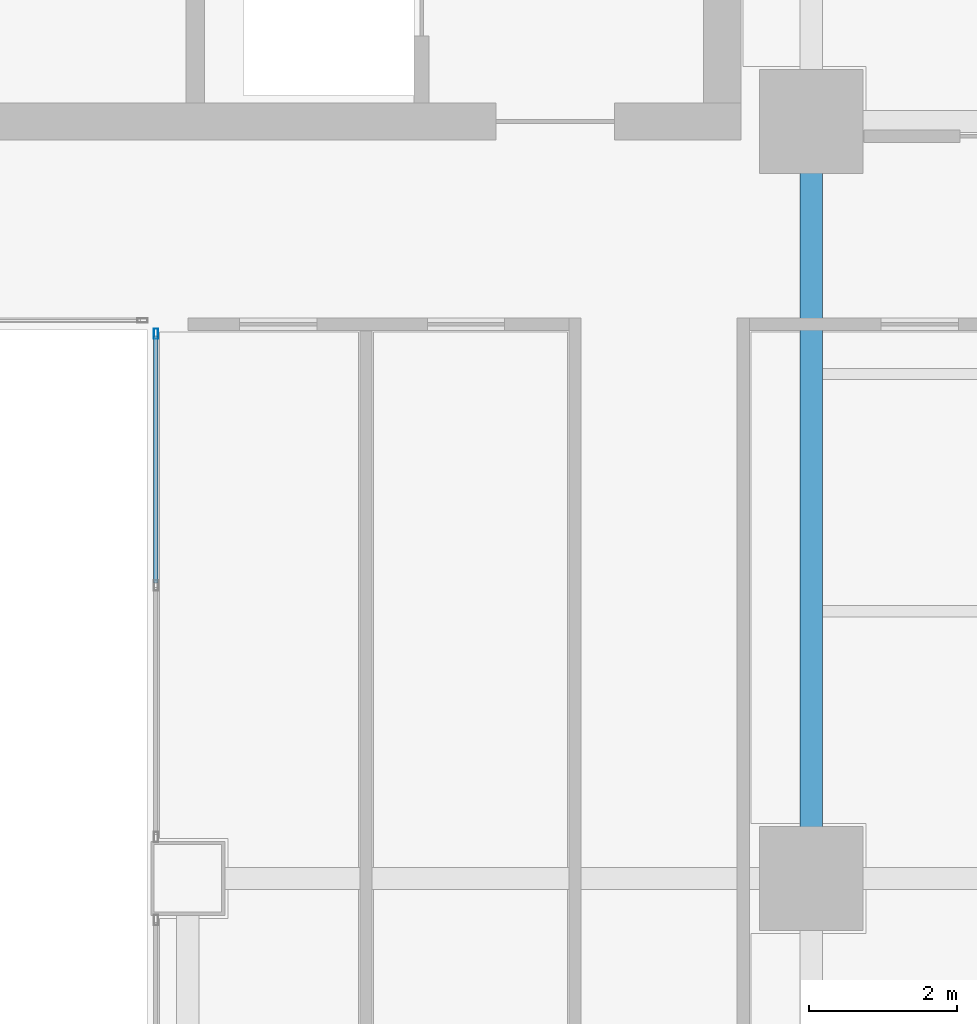
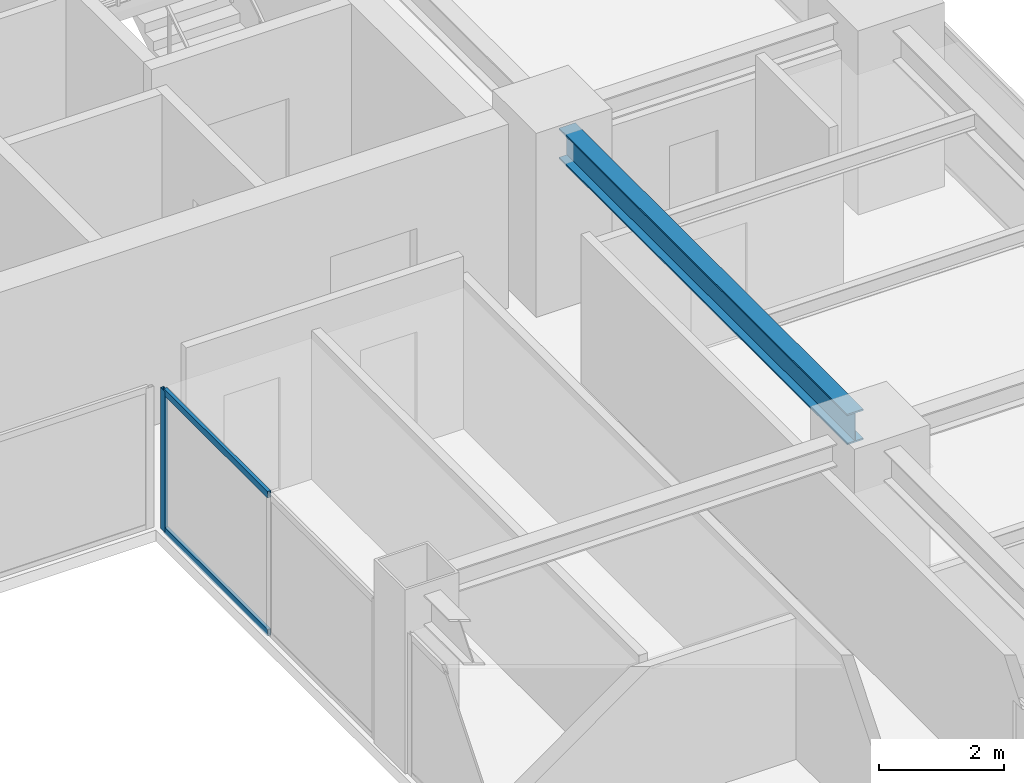
# One storey, part 16 of 29: 3 members, 1 beam, 1 element without a shape of its own.
"""IFC4 building model written with IfcOpenShell, lengths in metres."""

from ifc_helpers import new_model, si_unit, direction, frame, origin, origin_2d, place, context, subcontext, project, spatial, hollow_rectangle, i_section, extrude, source, transform, mapped, material, layer, layer_set, material_profile, profile_set, type_object, element, aggregate, save


model = new_model("IFC4")

# Units and contexts
model_context = context("Model", 3, precision=1e-05, world=origin(), true_north=direction((0.0, 1.0)))
body_context = subcontext(model_context, "Body", "Model", "MODEL_VIEW")
ifc_project = project(units=[si_unit("LENGTHUNIT", "METRE"), si_unit("AREAUNIT", "SQUARE_METRE"), si_unit("VOLUMEUNIT", "CUBIC_METRE"), si_unit("PLANEANGLEUNIT", "RADIAN"), si_unit("MASSUNIT", "GRAM", prefix="KILO")], contexts=[model_context])

# Site, building, storey
site_placement = place(None, origin())
site = spatial("IfcSite", under=ifc_project, at=site_placement, CompositionType="ELEMENT")
building_placement = place(site_placement, origin())
building = spatial("IfcBuilding", under=site, at=building_placement, Name="Sumidabori Civic Tower", CompositionType="ELEMENT")
storey_placement = place(building_placement, frame((0.0, 0.0, 218.0)))
storey = spatial("IfcBuildingStorey", under=building, at=storey_placement, Name="L56", CompositionType="ELEMENT", Elevation=218.0)

# Beam
ifc_material_1 = material(Name="Steel SN490", Category="steel")
ifc_material_profile_1 = material_profile(ifc_material_1, i_section(OverallWidth=0.300048828125, OverallDepth=0.60009765625, WebThickness=0.015380859375, FlangeThickness=0.030029296875, at=origin_2d()), Name="HE 600 B")
ifc_profile_set_1 = profile_set([ifc_material_profile_1], Name="Steel SN490")
beam_type = type_object("IfcBeamType", Name="BM-GIRD-600", PredefinedType="BEAM", material=ifc_profile_set_1)
shared_shape_1 = source(origin(), body_context, "Body", "SweptSolid", [
    extrude(i_section(OverallWidth=0.300048828125, OverallDepth=0.60009765625, WebThickness=0.015380859375, FlangeThickness=0.030029296875, at=origin_2d()), origin(), (0.0, 0.0, 1.0), 9.239990234375),
])
beam_placement = place(storey_placement, frame((16.800048828125, 0.47998046875, 3.080078125), z_axis=(0.0, 1.0, 0.0), x_axis=(-1.0, 0.0, 0.0)))
element("IfcBeam", 1, at=beam_placement, inside=storey, type_object=beam_type, Name="Primary Girder L56 GY-20", PredefinedType="BEAM", context=body_context, shape_type="MappedRepresentation", body=[
    mapped(shared_shape_1, transform((0.0, 0.0, 0.0), x_axis=(1.0, 0.0, 0.0), y_axis=(0.0, 1.0, 0.0), z_axis=(0.0, 0.0, 1.0), scale=1.0)),
])

# Curtain wall, members
ifc_material_2 = material(Name="Anodised Bronze Aluminium AW-6063-T6", Category="aluminium")
ifc_layer = layer(ifc_material_2, 0.179931640625, Name="Anodised Bronze Aluminium AW-6063-T6")
ifc_layer_set = layer_set([ifc_layer], Name="Anodised Bronze Aluminium AW-6063-T6")
curtain_wall_type = type_object("IfcCurtainWallType", Name="CW-SYS-4", PredefinedType="NOTDEFINED", material=ifc_layer_set)
curtain_wall_placement = place(storey_placement, origin())
curtain_wall = element("IfcCurtainWall", 2, at=curtain_wall_placement, inside=storey, type_object=curtain_wall_type, Name="Curtain Wall CW:L56:R06", PredefinedType="NOTDEFINED")
ifc_material_profile_2 = material_profile(ifc_material_2, hollow_rectangle(XDim=0.06005859375, YDim=0.139892578125, WallThickness=0.0048828125, at=origin_2d()), Name="ALU MULLION 140x60")
ifc_profile_set_2 = profile_set([ifc_material_profile_2], Name="Anodised Bronze Aluminium AW-6063-T6")
member_type_1 = type_object("IfcMemberType", Name="CW-MUL-140", PredefinedType="MULLION", material=ifc_profile_set_2)
shared_shape_2 = source(origin(), body_context, "Body", "SweptSolid", [
    extrude(hollow_rectangle(XDim=0.06005859375, YDim=0.139892578125, WallThickness=0.0048828125, at=origin_2d()), origin(), (0.0, 0.0, 1.0), 2.760009765625),
])
member_1_placement = place(storey_placement, frame((7.969970703125, 7.340087890625, 0.0), z_axis=(0.0, 0.0, 1.0), x_axis=(1.0, 0.0, 0.0)))
member_1 = element("IfcMember", 3, at=member_1_placement, type_object=member_type_1, Name="CW-4 mullion 1", PredefinedType="MULLION", context=body_context, shape_type="MappedRepresentation", body=[
    mapped(shared_shape_2, transform((0.0, 0.0, 0.0), x_axis=(1.0, 0.0, 0.0), y_axis=(0.0, 1.0, 0.0), z_axis=(0.0, 0.0, 1.0), scale=1.0)),
])
ifc_material_profile_3 = material_profile(ifc_material_2, hollow_rectangle(XDim=0.06005859375, YDim=0.1298828125, WallThickness=0.0048828125, at=origin_2d()), Name="ALU TRANSOM 130x60")
ifc_profile_set_3 = profile_set([ifc_material_profile_3], Name="Anodised Bronze Aluminium AW-6063-T6")
member_type_2 = type_object("IfcMemberType", Name="CW-TRN-130", PredefinedType="USERDEFINED", material=ifc_profile_set_3)
shared_shape_3 = source(origin(), body_context, "Body", "SweptSolid", [
    extrude(hollow_rectangle(XDim=0.06005859375, YDim=0.1298828125, WallThickness=0.0048828125, at=origin_2d()), origin(), (0.0, 0.0, 1.0), 3.330078125),
])
member_2_placement = place(storey_placement, frame((7.969970703125, 7.31005859375, 0.030029296875), z_axis=(0.0, -1.0, 0.0), x_axis=(1.0, 0.0, 0.0)))
member_2 = element("IfcMember", 4, at=member_2_placement, type_object=member_type_2, Name="CW-4 transom 1.1", ObjectType="TRANSOM", PredefinedType="USERDEFINED", context=body_context, shape_type="MappedRepresentation", body=[
    mapped(shared_shape_3, transform((0.0, 0.0, 0.0), x_axis=(1.0, 0.0, 0.0), y_axis=(0.0, 1.0, 0.0), z_axis=(0.0, 0.0, 1.0), scale=1.0)),
])
member_3_placement = place(storey_placement, frame((7.969970703125, 7.31005859375, 2.72998046875), z_axis=(0.0, -1.0, 0.0), x_axis=(1.0, 0.0, 0.0)))
member_3 = element("IfcMember", 5, at=member_3_placement, type_object=member_type_2, Name="CW-4 transom 1.2", ObjectType="TRANSOM", PredefinedType="USERDEFINED", context=body_context, shape_type="MappedRepresentation", body=[
    mapped(shared_shape_3, transform((0.0, 0.0, 0.0), x_axis=(1.0, 0.0, 0.0), y_axis=(0.0, 1.0, 0.0), z_axis=(0.0, 0.0, 1.0), scale=1.0)),
])
aggregate(curtain_wall, [member_1, member_2, member_3])

save(model, "model.ifc")
